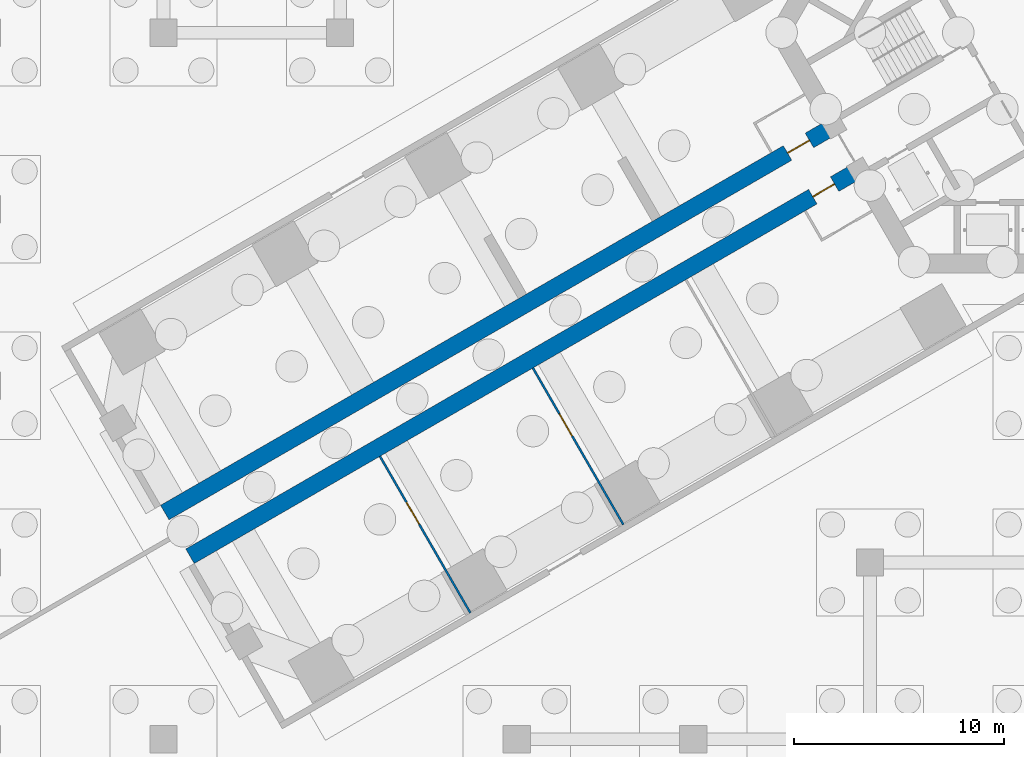
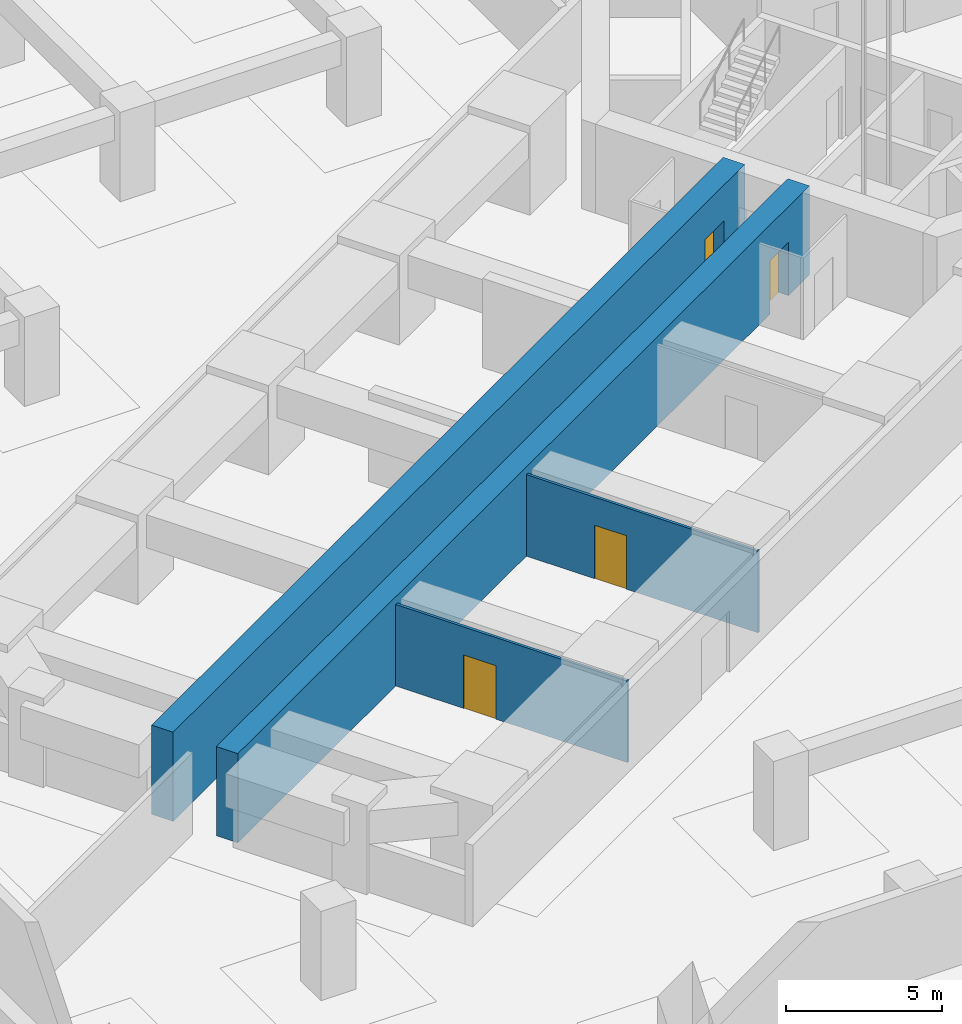
# One storey, part 51 of 73: 4 doors, 4 walls, 4 openings.
"""IFC4 building model written with IfcOpenShell, lengths in metres."""

import ifcopenshell
import ifcopenshell.guid

model = None  # the IFC model being written
_history = None  # IfcOwnerHistory: only IFC2X3 demands one
_inside = {}  # id of a spatial element -> (the spatial element, [elements in it])
_under = {}  # id of a project, library or spatial element -> (it, [spatial elements below it])
_declared = {}  # id of a project -> (the project, [libraries it declares])
_typed = {}  # id of a type object -> (the type object, [elements of that type])
_made_of = {}  # id of a material, layer set ... -> (it, [elements and type objects made of it])


def new_model(schema):
    """Start an empty IFC model of exactly this schema.

    Asked for "IFC4X3", IfcOpenShell would pick the latest addendum, in which some entities
    have other attributes; the version numbers below select the first issue.
    IFC2X3 requires an IfcOwnerHistory on every rooted entity: one is made here for all.
    """
    global model, _history
    if schema == "IFC4X3":
        model = ifcopenshell.file(schema_version=(4, 3, 0, 0))
    else:
        model = ifcopenshell.file(schema=schema)
    _inside.clear()
    _under.clear()
    _declared.clear()
    _typed.clear()
    _made_of.clear()
    _history = None
    if model.schema == "IFC2X3":
        org = make("IfcOrganization", Name="unknown")
        user = make(
            "IfcPersonAndOrganization",
            ThePerson=make("IfcPerson", FamilyName="unknown"),
            TheOrganization=org,
        )
        app = make(
            "IfcApplication",
            ApplicationDeveloper=org,
            Version="unknown",
            ApplicationFullName="unknown",
            ApplicationIdentifier="unknown",
        )
        _history = make(
            "IfcOwnerHistory",
            OwningUser=user,
            OwningApplication=app,
            ChangeAction="ADDED",
            CreationDate=0,
        )
    return model


def make(cls, **values):
    """One entity of the class cls with the attributes given. An attribute that is None is left unset."""
    return model.create_entity(
        cls, **{name: value for name, value in values.items() if value is not None}
    )


def rooted(cls, **values):
    """An entity with a GlobalId (a new one), such as an element, a storey or a relation."""
    return make(cls, GlobalId=ifcopenshell.guid.new(), OwnerHistory=_history, **values)


def si_unit(unit_type, name, prefix=None):
    """IfcSIUnit, for example si_unit("LENGTHUNIT", "METRE", prefix="MILLI")."""
    return make("IfcSIUnit", UnitType=unit_type, Prefix=prefix, Name=name)


def assignment(units):
    """IfcUnitAssignment: the units of a project."""
    return None if units is None else make("IfcUnitAssignment", Units=units)


def point(xyz):
    """IfcCartesianPoint."""
    return None if xyz is None else make("IfcCartesianPoint", Coordinates=xyz)


def direction(xyz):
    """IfcDirection."""
    return None if xyz is None else make("IfcDirection", DirectionRatios=xyz)


def frame(location, z_axis=None, x_axis=None):
    """IfcAxis2Placement3D, a coordinate frame: its origin and axes. An axis left out is left unset."""
    return make(
        "IfcAxis2Placement3D",
        Location=point(location),
        Axis=direction(z_axis),
        RefDirection=direction(x_axis),
    )


def frame_2d(location, x_axis=None):
    """IfcAxis2Placement2D, a coordinate frame in the plane: its origin and x axis."""
    return make(
        "IfcAxis2Placement2D", Location=point(location), RefDirection=direction(x_axis)
    )


def origin():
    """The frame at (0, 0, 0) with its axes left unset."""
    return frame((0.0, 0.0, 0.0))


def place(relative_to, where):
    """IfcLocalPlacement: puts the frame where relative to a parent placement (None: the world)."""
    return make(
        "IfcLocalPlacement", PlacementRelTo=relative_to, RelativePlacement=where
    )


def context(
    kind, dimensions, precision=None, world=None, true_north=None, identifier=None
):
    """IfcGeometricRepresentationContext, for example the 3D "Model" context."""
    return make(
        "IfcGeometricRepresentationContext",
        ContextIdentifier=identifier,
        ContextType=kind,
        CoordinateSpaceDimension=dimensions,
        Precision=precision,
        WorldCoordinateSystem=world,
        TrueNorth=true_north,
    )


def subcontext(parent, identifier, kind, view, scale=None):
    """IfcGeometricRepresentationSubContext, for example "Body" below "Model"."""
    return make(
        "IfcGeometricRepresentationSubContext",
        ContextIdentifier=identifier,
        ContextType=kind,
        ParentContext=parent,
        TargetScale=scale,
        TargetView=view,
    )


def project(units=None, contexts=None):
    """IfcProject with its units and contexts."""
    return rooted(
        "IfcProject",
        Name="project",
        RepresentationContexts=contexts,
        UnitsInContext=assignment(units),
    )


def spatial(cls, under=None, at=None, **own):
    """A site, building, storey or space (cls), placed at a placement, below another one or the project."""
    s = rooted(cls, ObjectPlacement=at, **own)
    if under is not None:
        _under.setdefault(under.id(), (under, []))[1].append(s)
    return s


def profile(cls, at=None, kind="AREA", **sizes):
    """A parametric profile (cls). Its sizes go by their IFC names, for example OverallWidth=200.0."""
    return make(cls, ProfileType=kind, Position=at, **sizes)


def rectangle(**sizes):
    """IfcRectangleProfileDef."""
    return profile("IfcRectangleProfileDef", **sizes)


def extrude(swept, where, along, depth):
    """IfcExtrudedAreaSolid: the profile swept, set in the frame where, extruded along a direction by depth."""
    return make(
        "IfcExtrudedAreaSolid",
        SweptArea=swept,
        Position=where,
        ExtrudedDirection=direction(along),
        Depth=depth,
    )


def shape(context_of_items, identifier, shape_type, items):
    """IfcShapeRepresentation: the items that make up one representation, for example the "Body"."""
    return make(
        "IfcShapeRepresentation",
        ContextOfItems=context_of_items,
        RepresentationIdentifier=identifier,
        RepresentationType=shape_type,
        Items=items,
    )


def material(Name=None, Category=None):
    """IfcMaterial."""
    return make("IfcMaterial", Name=Name, Category=Category)


def layer(
    of_material, thickness, ventilated=None, Name=None, Category=None, Priority=None
):
    """IfcMaterialLayer: one layer of a wall or slab, of a material (None: an air gap)."""
    return make(
        "IfcMaterialLayer",
        Material=of_material,
        LayerThickness=thickness,
        IsVentilated=ventilated,
        Name=Name,
        Category=Category,
        Priority=Priority,
    )


def layer_set(layers, Name=None):
    """IfcMaterialLayerSet."""
    return make("IfcMaterialLayerSet", MaterialLayers=layers, LayerSetName=Name)


def made_of(thing, what):
    """Note that an element or type object is made of a material, layer set ...; save() writes the relation."""
    if what is not None:
        _made_of.setdefault(what.id(), (what, []))[1].append(thing)
    return thing


def type_object(cls, material=None, **own):
    """A type object (cls), such as IfcWallType, which elements share."""
    return made_of(rooted(cls, **own), material)


def element(
    cls,
    number,
    at=None,
    inside=None,
    cuts=None,
    type_object=None,
    material=None,
    context=None,
    identifier="Body",
    shape_type=None,
    held_by="IfcProductDefinitionShape",
    body=None,
    shapes=None,
    **own,
):
    """One element of the class cls, such as IfcWall. Its Tag is "e" and its number.

    at: its placement. inside: the storey or other place that contains it. cuts: it is an
    opening in that element (IfcRelVoidsElement). A single representation is given by context,
    identifier, shape_type and body (its items); several are given by shapes. held_by: the class
    of the entity that holds the representations. save() writes the other relations.
    """
    e = rooted(cls, Tag="e%d" % number, ObjectPlacement=at, **own)
    if body is not None:
        shapes = [shape(context, identifier, shape_type, body)]
    if shapes is not None:
        e.Representation = make(held_by, Representations=shapes)
    if inside is not None:
        _inside.setdefault(inside.id(), (inside, []))[1].append(e)
    if cuts is not None:
        rooted(
            "IfcRelVoidsElement", RelatingBuildingElement=cuts, RelatedOpeningElement=e
        )
    if type_object is not None:
        _typed.setdefault(type_object.id(), (type_object, []))[1].append(e)
    return made_of(e, material)


def fill(opening, filler):
    """IfcRelFillsElement: the door or window that sits in an opening."""
    return rooted(
        "IfcRelFillsElement",
        RelatingOpeningElement=opening,
        RelatedBuildingElement=filler,
    )


def aggregate(whole, parts):
    """IfcRelAggregates: a whole, such as a stair, and the parts it consists of."""
    return rooted("IfcRelAggregates", RelatingObject=whole, RelatedObjects=parts)


def save(model, path):
    """Write the relations noted so far, then the file.

    IfcRelAggregates (storeys below a building ...), IfcRelContainedInSpatialStructure (elements
    in a storey), IfcRelDefinesByType, IfcRelAssociatesMaterial and IfcRelDeclares: one each for
    every whole, place, type object, material and project.
    """
    for whole, parts in _under.values():
        aggregate(whole, parts)
    for where, things in _inside.values():
        rooted(
            "IfcRelContainedInSpatialStructure",
            RelatedElements=things,
            RelatingStructure=where,
        )
    for kind, things in _typed.values():
        rooted("IfcRelDefinesByType", RelatedObjects=things, RelatingType=kind)
    for what, things in _made_of.values():
        rooted("IfcRelAssociatesMaterial", RelatedObjects=things, RelatingMaterial=what)
    for by, libraries in _declared.values():
        rooted("IfcRelDeclares", RelatingContext=by, RelatedDefinitions=libraries)
    model.write(path)


model = new_model("IFC4")

# Units and contexts
model_context = context("Model", 3, precision=1e-05, world=origin(), true_north=direction((0.0, 1.0)))
body_context = subcontext(model_context, "Body", "Model", "MODEL_VIEW")
ifc_project = project(units=[si_unit("LENGTHUNIT", "METRE"), si_unit("AREAUNIT", "SQUARE_METRE"), si_unit("VOLUMEUNIT", "CUBIC_METRE"), si_unit("PLANEANGLEUNIT", "RADIAN"), si_unit("MASSUNIT", "GRAM", prefix="KILO")], contexts=[model_context])

# Site, building, storey
site_placement = place(None, origin())
site = spatial("IfcSite", under=ifc_project, at=site_placement, CompositionType="ELEMENT")
building_placement = place(site_placement, origin())
building = spatial("IfcBuilding", under=site, at=building_placement, Name="Impinga Residences", CompositionType="ELEMENT")
storey_placement = place(building_placement, frame((0.0, 0.0, -10.5)))
storey = spatial("IfcBuildingStorey", under=building, at=storey_placement, Name="B3", CompositionType="ELEMENT", Elevation=-10.5)

# Wall, opening, door
ifc_material_1 = material(Name="Concrete C70/85", Category="concrete")
ifc_layer_1 = layer(ifc_material_1, 0.800048828125)
ifc_layer_set_1 = layer_set([ifc_layer_1], Name="Concrete C70/85")
wall_type_1 = type_object("IfcWallType", Name="BW0 corridor buttress wall, B3 to L04 800", PredefinedType="SHEAR", material=ifc_layer_set_1)
wall_1_placement = place(storey_placement, frame((-8.910400390625, -6.530029296875, 0.0), z_axis=(0.0, 0.0, 1.0), x_axis=(-0.866025284237, -0.500000207062, 0.0)))
wall_1 = element("IfcWall", 1, at=wall_1_placement, inside=storey, type_object=wall_type_1, Name="Corridor wall BW0 WC B3", PredefinedType="SHEAR", context=body_context, shape_type="SweptSolid", body=[
    extrude(rectangle(XDim=36.75, YDim=0.800048828125, at=frame_2d((18.375, 0.0))), origin(), (0.0, 0.0, 1.0), 3.5),
])
opening_1_placement = place(wall_1_placement, frame((1.35009765625, 0.0, 0.0)))
opening_1 = element("IfcOpeningElement", 2, at=opening_1_placement, cuts=wall_1, Name="Opening D3", PredefinedType="OPENING", context=body_context, shape_type="SweptSolid", body=[
    extrude(rectangle(XDim=1.199951171875, YDim=2.10009765625, at=frame_2d((0.60009765625, 1.050048828125))), frame((0.0, 0.409912109375, 0.0), z_axis=(0.0, -1.0, 0.0), x_axis=(1.0, 0.0, 0.0)), (0.0, 0.0, 1.0), 0.820068359375),
])
ifc_material_2 = material(Name="Timber door set", Category="wood")
door_type = type_object("IfcDoorType", Name="D3 room door, leaf and a half 1200x2100", OperationType="DOUBLE_SWING_LEFT", PredefinedType="DOOR", material=ifc_material_2)
door_1_placement = place(opening_1_placement, origin())
door_1 = element("IfcDoor", 3, at=door_1_placement, inside=storey, type_object=door_type, Name="Plant room lobby door B3-WA1", OperationType="DOUBLE_SWING_LEFT", OverallHeight=2.10009765625, OverallWidth=1.199951171875, PredefinedType="DOOR", context=body_context, shape_type="SweptSolid", body=[
    extrude(rectangle(XDim=1.199951171875, YDim=2.10009765625, at=frame_2d((0.60009765625, 1.050048828125))), frame((0.0, 0.02490234375, 0.0), z_axis=(0.0, -1.0, 0.0), x_axis=(1.0, 0.0, 0.0)), (0.0, 0.0, 1.0), 0.050048828125),
])
fill(opening_1, door_1)

wall_2_placement = place(storey_placement, frame((-10.1103515625, -4.451416015625, 0.0), z_axis=(0.0, 0.0, 1.0), x_axis=(-0.866025284237, -0.500000207062, 0.0)))
wall_2 = element("IfcWall", 4, at=wall_2_placement, inside=storey, type_object=wall_type_1, Name="Corridor wall BW0 WD B3", PredefinedType="SHEAR", context=body_context, shape_type="SweptSolid", body=[
    extrude(rectangle(XDim=36.75, YDim=0.800048828125, at=frame_2d((18.375, 0.0))), origin(), (0.0, 0.0, 1.0), 3.5),
])
opening_2_placement = place(wall_2_placement, frame((1.35009765625, 0.0, 0.0)))
opening_2 = element("IfcOpeningElement", 5, at=opening_2_placement, cuts=wall_2, Name="Opening D3", PredefinedType="OPENING", context=body_context, shape_type="SweptSolid", body=[
    extrude(rectangle(XDim=1.199951171875, YDim=2.10009765625, at=frame_2d((0.60009765625, 1.050048828125))), frame((0.0, 0.409912109375, 0.0), z_axis=(0.0, -1.0, 0.0), x_axis=(1.0, 0.0, 0.0)), (0.0, 0.0, 1.0), 0.820068359375),
])
door_2_placement = place(opening_2_placement, origin())
door_2 = element("IfcDoor", 6, at=door_2_placement, inside=storey, type_object=door_type, Name="Storage cages lobby door B3-WF1", OperationType="DOUBLE_SWING_LEFT", OverallHeight=2.10009765625, OverallWidth=1.199951171875, PredefinedType="DOOR", context=body_context, shape_type="SweptSolid", body=[
    extrude(rectangle(XDim=1.199951171875, YDim=2.10009765625, at=frame_2d((0.60009765625, 1.050048828125))), frame((0.0, 0.02490234375, 0.0), z_axis=(0.0, -1.0, 0.0), x_axis=(1.0, 0.0, 0.0)), (0.0, 0.0, 1.0), 0.050048828125),
])
fill(opening_2, door_2)

ifc_material_3 = material(Name="Concrete blockwork", Category="masonry")
ifc_layer_2 = layer(ifc_material_3, 0.10009765625)
ifc_layer_set_2 = layer_set([ifc_layer_2], Name="CP1 core room partition, blockwork 100")
wall_type_2 = type_object("IfcWallType", Name="CP1 core room partition, blockwork 100", PredefinedType="PARTITIONING", material=ifc_layer_set_2)
wall_3_placement = place(storey_placement, frame((-24.4287109375, -15.951416015625, 0.0), z_axis=(0.0, 0.0, 1.0), x_axis=(0.500007509209, -0.866021068297, 0.0)))
wall_3 = element("IfcWall", 7, at=wall_3_placement, inside=storey, type_object=wall_type_2, Name="Core room partition, blockwork B3-WA1:PS2", PredefinedType="PARTITIONING", context=body_context, shape_type="SweptSolid", body=[
    extrude(rectangle(XDim=8.599853515625, YDim=0.10009765625, at=frame_2d((4.2998046875, 0.0))), origin(), (0.0, 0.0, 1.0), 3.199951171875),
])
opening_3_placement = place(wall_3_placement, frame((2.52490234375, 0.0, 0.0)))
opening_3 = element("IfcOpeningElement", 8, at=opening_3_placement, cuts=wall_3, Name="Opening D3", PredefinedType="OPENING", context=body_context, shape_type="SweptSolid", body=[
    extrude(rectangle(XDim=1.199951171875, YDim=2.10009765625, at=frame_2d((0.60009765625, 1.050048828125))), frame((0.0, 0.06005859375, 0.0), z_axis=(0.0, -1.0, 0.0), x_axis=(1.0, 0.0, 0.0)), (0.0, 0.0, 1.0), 0.1201171875),
])
door_3_placement = place(opening_3_placement, origin())
door_3 = element("IfcDoor", 9, at=door_3_placement, inside=storey, type_object=door_type, Name="Water treatment room door B3-WA1", OperationType="DOUBLE_SWING_LEFT", OverallHeight=2.10009765625, OverallWidth=1.199951171875, PredefinedType="DOOR", context=body_context, shape_type="SweptSolid", body=[
    extrude(rectangle(XDim=1.199951171875, YDim=2.10009765625, at=frame_2d((0.60009765625, 1.050048828125))), frame((0.0, 0.02490234375, 0.0), z_axis=(0.0, -1.0, 0.0), x_axis=(1.0, 0.0, 0.0)), (0.0, 0.0, 1.0), 0.050048828125),
])
fill(opening_3, door_3)

wall_4_placement = place(storey_placement, frame((-31.703369140625, -20.1513671875, 0.0), z_axis=(0.0, 0.0, 1.0), x_axis=(0.500007509209, -0.866021068297, 0.0)))
wall_4 = element("IfcWall", 10, at=wall_4_placement, inside=storey, type_object=wall_type_2, Name="Core room partition, blockwork B3-WA1:PS3", PredefinedType="PARTITIONING", context=body_context, shape_type="SweptSolid", body=[
    extrude(rectangle(XDim=8.599853515625, YDim=0.10009765625, at=frame_2d((4.2998046875, 0.0))), origin(), (0.0, 0.0, 1.0), 3.199951171875),
])
opening_4_placement = place(wall_4_placement, frame((2.52490234375, 0.0, 0.0)))
opening_4 = element("IfcOpeningElement", 11, at=opening_4_placement, cuts=wall_4, Name="Opening D3", PredefinedType="OPENING", context=body_context, shape_type="SweptSolid", body=[
    extrude(rectangle(XDim=1.199951171875, YDim=2.10009765625, at=frame_2d((0.60009765625, 1.050048828125))), frame((0.0, 0.06005859375, 0.0), z_axis=(0.0, -1.0, 0.0), x_axis=(1.0, 0.0, 0.0)), (0.0, 0.0, 1.0), 0.1201171875),
])
door_4_placement = place(opening_4_placement, origin())
door_4 = element("IfcDoor", 12, at=door_4_placement, inside=storey, type_object=door_type, Name="Plant store door B3-WA1", OperationType="DOUBLE_SWING_LEFT", OverallHeight=2.10009765625, OverallWidth=1.199951171875, PredefinedType="DOOR", context=body_context, shape_type="SweptSolid", body=[
    extrude(rectangle(XDim=1.199951171875, YDim=2.10009765625, at=frame_2d((0.60009765625, 1.050048828125))), frame((0.0, 0.02490234375, 0.0), z_axis=(0.0, -1.0, 0.0), x_axis=(1.0, 0.0, 0.0)), (0.0, 0.0, 1.0), 0.050048828125),
])
fill(opening_4, door_4)

save(model, "model.ifc")
